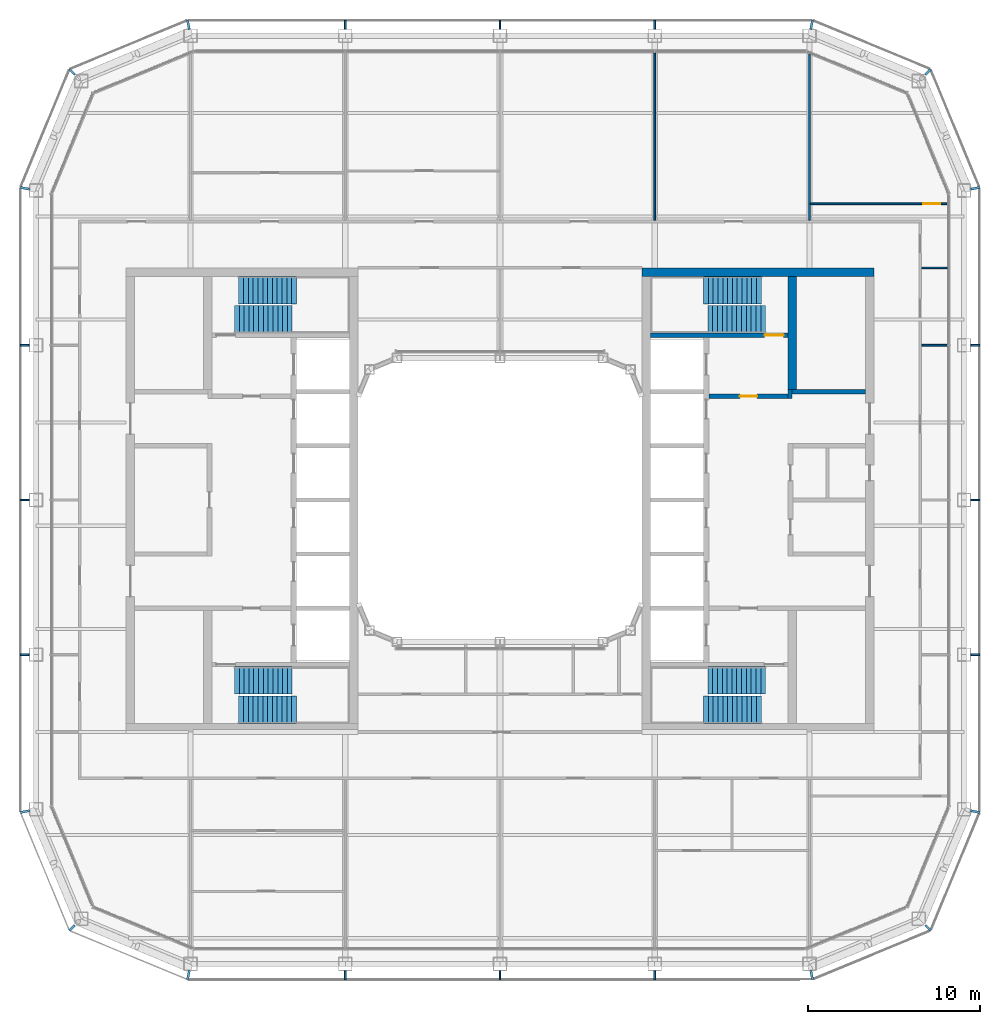
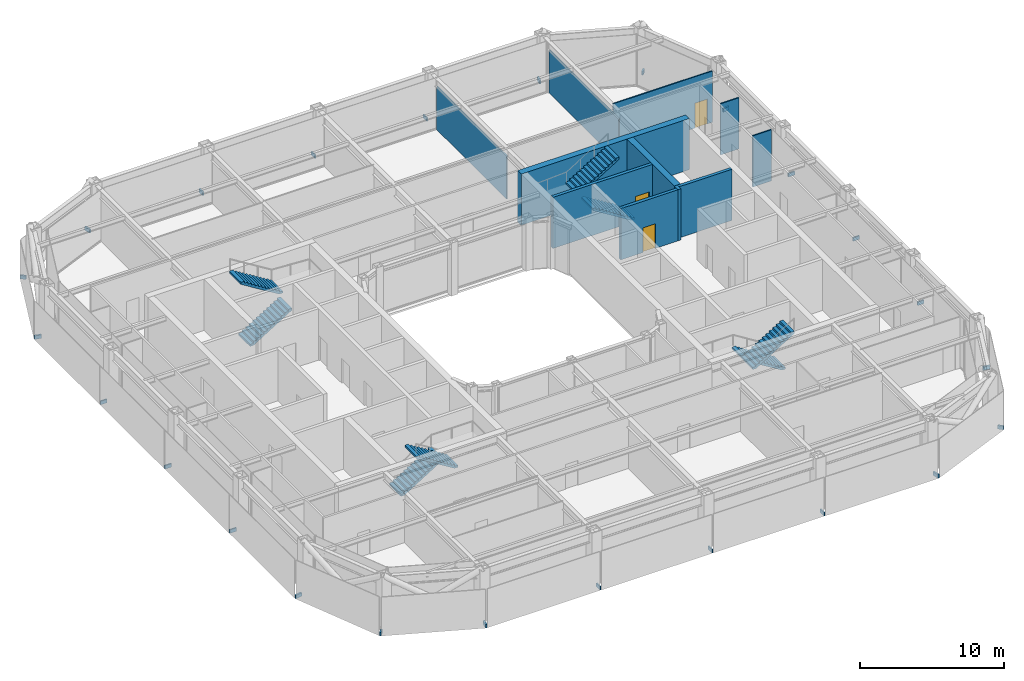
# One storey, part 15 of 19: 24 discrete accessories, 11 walls, 8 stair flights, 3 doors, 3 openings, 4 elements without a shape of their own.
"""IFC4 building model written with IfcOpenShell, lengths in metres."""

import ifcopenshell
import ifcopenshell.guid

model = None  # the IFC model being written
_history = None  # IfcOwnerHistory: only IFC2X3 demands one
_inside = {}  # id of a spatial element -> (the spatial element, [elements in it])
_under = {}  # id of a project, library or spatial element -> (it, [spatial elements below it])
_declared = {}  # id of a project -> (the project, [libraries it declares])
_typed = {}  # id of a type object -> (the type object, [elements of that type])
_made_of = {}  # id of a material, layer set ... -> (it, [elements and type objects made of it])


def new_model(schema):
    """Start an empty IFC model of exactly this schema.

    Asked for "IFC4X3", IfcOpenShell would pick the latest addendum, in which some entities
    have other attributes; the version numbers below select the first issue.
    IFC2X3 requires an IfcOwnerHistory on every rooted entity: one is made here for all.
    """
    global model, _history
    if schema == "IFC4X3":
        model = ifcopenshell.file(schema_version=(4, 3, 0, 0))
    else:
        model = ifcopenshell.file(schema=schema)
    _inside.clear()
    _under.clear()
    _declared.clear()
    _typed.clear()
    _made_of.clear()
    _history = None
    if model.schema == "IFC2X3":
        org = make("IfcOrganization", Name="unknown")
        user = make(
            "IfcPersonAndOrganization",
            ThePerson=make("IfcPerson", FamilyName="unknown"),
            TheOrganization=org,
        )
        app = make(
            "IfcApplication",
            ApplicationDeveloper=org,
            Version="unknown",
            ApplicationFullName="unknown",
            ApplicationIdentifier="unknown",
        )
        _history = make(
            "IfcOwnerHistory",
            OwningUser=user,
            OwningApplication=app,
            ChangeAction="ADDED",
            CreationDate=0,
        )
    return model


def make(cls, **values):
    """One entity of the class cls with the attributes given. An attribute that is None is left unset."""
    return model.create_entity(
        cls, **{name: value for name, value in values.items() if value is not None}
    )


def rooted(cls, **values):
    """An entity with a GlobalId (a new one), such as an element, a storey or a relation."""
    return make(cls, GlobalId=ifcopenshell.guid.new(), OwnerHistory=_history, **values)


def si_unit(unit_type, name, prefix=None):
    """IfcSIUnit, for example si_unit("LENGTHUNIT", "METRE", prefix="MILLI")."""
    return make("IfcSIUnit", UnitType=unit_type, Prefix=prefix, Name=name)


def assignment(units):
    """IfcUnitAssignment: the units of a project."""
    return None if units is None else make("IfcUnitAssignment", Units=units)


def point(xyz):
    """IfcCartesianPoint."""
    return None if xyz is None else make("IfcCartesianPoint", Coordinates=xyz)


def direction(xyz):
    """IfcDirection."""
    return None if xyz is None else make("IfcDirection", DirectionRatios=xyz)


def frame(location, z_axis=None, x_axis=None):
    """IfcAxis2Placement3D, a coordinate frame: its origin and axes. An axis left out is left unset."""
    return make(
        "IfcAxis2Placement3D",
        Location=point(location),
        Axis=direction(z_axis),
        RefDirection=direction(x_axis),
    )


def frame_2d(location, x_axis=None):
    """IfcAxis2Placement2D, a coordinate frame in the plane: its origin and x axis."""
    return make(
        "IfcAxis2Placement2D", Location=point(location), RefDirection=direction(x_axis)
    )


def origin():
    """The frame at (0, 0, 0) with its axes left unset."""
    return frame((0.0, 0.0, 0.0))


def origin_2d():
    """The frame at (0, 0) in the plane with its x axis left unset."""
    return frame_2d((0.0, 0.0))


def place(relative_to, where):
    """IfcLocalPlacement: puts the frame where relative to a parent placement (None: the world)."""
    return make(
        "IfcLocalPlacement", PlacementRelTo=relative_to, RelativePlacement=where
    )


def context(
    kind, dimensions, precision=None, world=None, true_north=None, identifier=None
):
    """IfcGeometricRepresentationContext, for example the 3D "Model" context."""
    return make(
        "IfcGeometricRepresentationContext",
        ContextIdentifier=identifier,
        ContextType=kind,
        CoordinateSpaceDimension=dimensions,
        Precision=precision,
        WorldCoordinateSystem=world,
        TrueNorth=true_north,
    )


def subcontext(parent, identifier, kind, view, scale=None):
    """IfcGeometricRepresentationSubContext, for example "Body" below "Model"."""
    return make(
        "IfcGeometricRepresentationSubContext",
        ContextIdentifier=identifier,
        ContextType=kind,
        ParentContext=parent,
        TargetScale=scale,
        TargetView=view,
    )


def project(units=None, contexts=None):
    """IfcProject with its units and contexts."""
    return rooted(
        "IfcProject",
        Name="project",
        RepresentationContexts=contexts,
        UnitsInContext=assignment(units),
    )


def spatial(cls, under=None, at=None, **own):
    """A site, building, storey or space (cls), placed at a placement, below another one or the project."""
    s = rooted(cls, ObjectPlacement=at, **own)
    if under is not None:
        _under.setdefault(under.id(), (under, []))[1].append(s)
    return s


def polyline(points):
    """IfcPolyline through the points."""
    return make("IfcPolyline", Points=[point(p) for p in points])


def profile(cls, at=None, kind="AREA", **sizes):
    """A parametric profile (cls). Its sizes go by their IFC names, for example OverallWidth=200.0."""
    return make(cls, ProfileType=kind, Position=at, **sizes)


def rectangle(**sizes):
    """IfcRectangleProfileDef."""
    return profile("IfcRectangleProfileDef", **sizes)


def outline(outer, holes=None, kind="AREA"):
    """IfcArbitraryClosedProfileDef: a profile drawn as a closed curve; with holes, ...WithVoids."""
    if holes is None:
        return make("IfcArbitraryClosedProfileDef", ProfileType=kind, OuterCurve=outer)
    return make(
        "IfcArbitraryProfileDefWithVoids",
        ProfileType=kind,
        OuterCurve=outer,
        InnerCurves=holes,
    )


def extrude(swept, where, along, depth):
    """IfcExtrudedAreaSolid: the profile swept, set in the frame where, extruded along a direction by depth."""
    return make(
        "IfcExtrudedAreaSolid",
        SweptArea=swept,
        Position=where,
        ExtrudedDirection=direction(along),
        Depth=depth,
    )


def shape(context_of_items, identifier, shape_type, items):
    """IfcShapeRepresentation: the items that make up one representation, for example the "Body"."""
    return make(
        "IfcShapeRepresentation",
        ContextOfItems=context_of_items,
        RepresentationIdentifier=identifier,
        RepresentationType=shape_type,
        Items=items,
    )


def material(Name=None, Category=None):
    """IfcMaterial."""
    return make("IfcMaterial", Name=Name, Category=Category)


def layer(
    of_material, thickness, ventilated=None, Name=None, Category=None, Priority=None
):
    """IfcMaterialLayer: one layer of a wall or slab, of a material (None: an air gap)."""
    return make(
        "IfcMaterialLayer",
        Material=of_material,
        LayerThickness=thickness,
        IsVentilated=ventilated,
        Name=Name,
        Category=Category,
        Priority=Priority,
    )


def layer_set(layers, Name=None):
    """IfcMaterialLayerSet."""
    return make("IfcMaterialLayerSet", MaterialLayers=layers, LayerSetName=Name)


def made_of(thing, what):
    """Note that an element or type object is made of a material, layer set ...; save() writes the relation."""
    if what is not None:
        _made_of.setdefault(what.id(), (what, []))[1].append(thing)
    return thing


def type_object(cls, material=None, **own):
    """A type object (cls), such as IfcWallType, which elements share."""
    return made_of(rooted(cls, **own), material)


def element(
    cls,
    number,
    at=None,
    inside=None,
    cuts=None,
    type_object=None,
    material=None,
    context=None,
    identifier="Body",
    shape_type=None,
    held_by="IfcProductDefinitionShape",
    body=None,
    shapes=None,
    **own,
):
    """One element of the class cls, such as IfcWall. Its Tag is "e" and its number.

    at: its placement. inside: the storey or other place that contains it. cuts: it is an
    opening in that element (IfcRelVoidsElement). A single representation is given by context,
    identifier, shape_type and body (its items); several are given by shapes. held_by: the class
    of the entity that holds the representations. save() writes the other relations.
    """
    e = rooted(cls, Tag="e%d" % number, ObjectPlacement=at, **own)
    if body is not None:
        shapes = [shape(context, identifier, shape_type, body)]
    if shapes is not None:
        e.Representation = make(held_by, Representations=shapes)
    if inside is not None:
        _inside.setdefault(inside.id(), (inside, []))[1].append(e)
    if cuts is not None:
        rooted(
            "IfcRelVoidsElement", RelatingBuildingElement=cuts, RelatedOpeningElement=e
        )
    if type_object is not None:
        _typed.setdefault(type_object.id(), (type_object, []))[1].append(e)
    return made_of(e, material)


def fill(opening, filler):
    """IfcRelFillsElement: the door or window that sits in an opening."""
    return rooted(
        "IfcRelFillsElement",
        RelatingOpeningElement=opening,
        RelatedBuildingElement=filler,
    )


def aggregate(whole, parts):
    """IfcRelAggregates: a whole, such as a stair, and the parts it consists of."""
    return rooted("IfcRelAggregates", RelatingObject=whole, RelatedObjects=parts)


def save(model, path):
    """Write the relations noted so far, then the file.

    IfcRelAggregates (storeys below a building ...), IfcRelContainedInSpatialStructure (elements
    in a storey), IfcRelDefinesByType, IfcRelAssociatesMaterial and IfcRelDeclares: one each for
    every whole, place, type object, material and project.
    """
    for whole, parts in _under.values():
        aggregate(whole, parts)
    for where, things in _inside.values():
        rooted(
            "IfcRelContainedInSpatialStructure",
            RelatedElements=things,
            RelatingStructure=where,
        )
    for kind, things in _typed.values():
        rooted("IfcRelDefinesByType", RelatedObjects=things, RelatingType=kind)
    for what, things in _made_of.values():
        rooted("IfcRelAssociatesMaterial", RelatedObjects=things, RelatingMaterial=what)
    for by, libraries in _declared.values():
        rooted("IfcRelDeclares", RelatingContext=by, RelatedDefinitions=libraries)
    model.write(path)


model = new_model("IFC4")

# Units and contexts
model_context = context("Model", 3, precision=1e-05, world=origin(), true_north=direction((0.0, 1.0)))
body_context = subcontext(model_context, "Body", "Model", "MODEL_VIEW")
ifc_project = project(units=[si_unit("LENGTHUNIT", "METRE"), si_unit("AREAUNIT", "SQUARE_METRE"), si_unit("VOLUMEUNIT", "CUBIC_METRE"), si_unit("PLANEANGLEUNIT", "RADIAN"), si_unit("MASSUNIT", "GRAM", prefix="KILO")], contexts=[model_context])

# Site, building, storey
site_placement = place(None, origin())
site = spatial("IfcSite", under=ifc_project, at=site_placement, CompositionType="ELEMENT")
building_placement = place(site_placement, origin())
building = spatial("IfcBuilding", under=site, at=building_placement, Name="Siwar Civic Tower", CompositionType="ELEMENT")
storey_placement = place(building_placement, frame((0.0, 0.0, 264.699951171875)))
storey = spatial("IfcBuildingStorey", under=building, at=storey_placement, Name="L57", CompositionType="ELEMENT", Elevation=264.699951171875)

# Wall, opening, door
ifc_material_1 = material(Name="Concrete C60/75", Category="concrete")
ifc_layer_1 = layer(ifc_material_1, 0.25)
ifc_layer_set_1 = layer_set([ifc_layer_1], Name="Concrete C60/75")
wall_type_1 = type_object("IfcWallType", Name="CORE-WALL-RC250", PredefinedType="SHEAR", material=ifc_layer_set_1)
wall_1_placement = place(storey_placement, frame((12.14990234375, 6.02490234375, 0.0), z_axis=(0.0, 0.0, 1.0), x_axis=(1.0, 0.0, 0.0)))
wall_1 = element("IfcWall", 1, at=wall_1_placement, inside=storey, type_object=wall_type_1, Name="Core wall E", PredefinedType="SHEAR", context=body_context, shape_type="SweptSolid", body=[
    extrude(rectangle(XDim=4.60009765625, YDim=0.25, at=frame_2d((2.300048828125, 0.0))), origin(), (0.0, 0.0, 1.0), 4.35009765625),
])
opening_1_placement = place(wall_1_placement, frame((1.800048828125, 0.0, 0.0)))
opening_1 = element("IfcOpeningElement", 2, at=opening_1_placement, cuts=wall_1, Name="Opening L57-CE01", PredefinedType="OPENING", context=body_context, shape_type="SweptSolid", body=[
    extrude(rectangle(XDim=1.0, YDim=2.10009765625, at=frame_2d((0.5, 1.050048828125))), frame((0.0, 0.135009765625, 0.0), z_axis=(0.0, -1.0, 0.0), x_axis=(1.0, 0.0, 0.0)), (0.0, 0.0, 1.0), 0.27001953125),
])
ifc_material_2 = material(Name="Steel door leaf", Category="steel")
door_type_1 = type_object("IfcDoorType", Name="CORE-DOOR-FD30S", OperationType="SINGLE_SWING_LEFT", PredefinedType="DOOR", material=ifc_material_2)
door_1_placement = place(opening_1_placement, origin())
door_1 = element("IfcDoor", 3, at=door_1_placement, inside=storey, type_object=door_type_1, Name="Firefighting lobby door L57-CE01", OperationType="SINGLE_SWING_RIGHT", OverallHeight=2.10009765625, OverallWidth=1.0, PredefinedType="DOOR", context=body_context, shape_type="SweptSolid", body=[
    extrude(rectangle(XDim=1.0, YDim=2.10009765625, at=frame_2d((0.5, 1.050048828125))), frame((0.0, 0.02490234375, 0.0), z_axis=(0.0, -1.0, 0.0), x_axis=(1.0, 0.0, 0.0)), (0.0, 0.0, 1.0), 0.050048828125),
])
fill(opening_1, door_1)

# Walls
wall_2_placement = place(storey_placement, frame((16.875, 5.89990234375, 0.0), z_axis=(0.0, 0.0, 1.0), x_axis=(0.0, 1.0, 0.0)))
element("IfcWall", 4, at=wall_2_placement, inside=storey, type_object=wall_type_1, Name="Core wall E", PredefinedType="SHEAR", context=body_context, shape_type="SweptSolid", body=[
    extrude(rectangle(XDim=0.525146484375, YDim=0.25, at=frame_2d((0.2626953125, 0.0))), origin(), (0.0, 0.0, 1.0), 4.35009765625),
])
wall_3_placement = place(storey_placement, frame((17.0, 6.300048828125, 0.0), z_axis=(0.0, 0.0, 1.0), x_axis=(1.0, 0.0, 0.0)))
element("IfcWall", 5, at=wall_3_placement, inside=storey, type_object=wall_type_1, Name="Core wall E", PredefinedType="SHEAR", context=body_context, shape_type="SweptSolid", body=[
    extrude(rectangle(XDim=4.25, YDim=0.25, at=frame_2d((2.125, 0.0))), origin(), (0.0, 0.0, 1.0), 4.35009765625),
])

# Wall, opening, door
wall_4_placement = place(storey_placement, frame((8.75, 9.574951171875, 0.0), z_axis=(0.0, 0.0, 1.0), x_axis=(1.0, 0.0, 0.0)))
wall_4 = element("IfcWall", 6, at=wall_4_placement, inside=storey, type_object=wall_type_1, Name="Core wall E", PredefinedType="SHEAR", context=body_context, shape_type="SweptSolid", body=[
    extrude(rectangle(XDim=8.0, YDim=0.25, at=frame_2d((4.0, 0.0))), origin(), (0.0, 0.0, 1.0), 4.35009765625),
])
opening_2_placement = place(wall_4_placement, frame((6.64990234375, 0.0, 0.0)))
opening_2 = element("IfcOpeningElement", 7, at=opening_2_placement, cuts=wall_4, Name="Opening L57-CE03", PredefinedType="OPENING", context=body_context, shape_type="SweptSolid", body=[
    extrude(rectangle(XDim=1.10009765625, YDim=2.10009765625, at=frame_2d((0.550048828125, 1.050048828125))), frame((0.0, 0.135009765625, 0.0), z_axis=(0.0, -1.0, 0.0), x_axis=(1.0, 0.0, 0.0)), (0.0, 0.0, 1.0), 0.27001953125),
])
ifc_material_3 = material(Name="Steel door leaf", Category="steel")
door_type_2 = type_object("IfcDoorType", Name="CORE-DOOR-FD60S", OperationType="SINGLE_SWING_LEFT", PredefinedType="DOOR", material=ifc_material_3)
door_2_placement = place(opening_2_placement, origin())
door_2 = element("IfcDoor", 8, at=door_2_placement, inside=storey, type_object=door_type_2, Name="Stair door L57-CE03", OperationType="SINGLE_SWING_LEFT", OverallHeight=2.10009765625, OverallWidth=1.10009765625, PredefinedType="DOOR", context=body_context, shape_type="SweptSolid", body=[
    extrude(rectangle(XDim=1.10009765625, YDim=2.10009765625, at=frame_2d((0.550048828125, 1.050048828125))), frame((0.0, 0.02490234375, 0.0), z_axis=(0.0, -1.0, 0.0), x_axis=(1.0, 0.0, 0.0)), (0.0, 0.0, 1.0), 0.050048828125),
])
fill(opening_2, door_2)

# Walls
ifc_material_4 = material(Name="Concrete C60/75", Category="concrete")
ifc_layer_2 = layer(ifc_material_4, 0.5)
ifc_layer_set_2 = layer_set([ifc_layer_2], Name="Concrete C60/75")
wall_type_2 = type_object("IfcWallType", Name="CORE-WALL-RC500", PredefinedType="SHEAR", material=ifc_layer_set_2)
wall_5_placement = place(storey_placement, frame((17.0, 6.425048828125, 0.0), z_axis=(0.0, 0.0, 1.0), x_axis=(0.0, 1.0, 0.0)))
element("IfcWall", 9, at=wall_5_placement, inside=storey, type_object=wall_type_2, Name="Core wall E", PredefinedType="SHEAR", context=body_context, shape_type="SweptSolid", body=[
    extrude(rectangle(XDim=6.574951171875, YDim=0.5, at=frame_2d((3.28759765625, 0.0))), origin(), (0.0, 0.0, 1.0), 4.35009765625),
])
wall_6_placement = place(storey_placement, frame((8.25, 13.25, 0.0), z_axis=(0.0, 0.0, 1.0), x_axis=(1.0, 0.0, 0.0)))
element("IfcWall", 10, at=wall_6_placement, inside=storey, type_object=wall_type_2, Name="Core wall E", PredefinedType="SHEAR", context=body_context, shape_type="SweptSolid", body=[
    extrude(rectangle(XDim=13.5, YDim=0.5, at=frame_2d((6.75, 0.0))), origin(), (0.0, 0.0, 1.0), 4.35009765625),
])
ifc_material_5 = material(Name="Gypsum board on steel studs", Category="steel")
ifc_layer_3 = layer(ifc_material_5, 0.10009765625)
ifc_layer_set_3 = layer_set([ifc_layer_3], Name="Gypsum board on steel studs")
wall_type_3 = type_object("IfcWallType", Name="PARTITION 100 GYPSUM", PredefinedType="PARTITIONING", material=ifc_layer_set_3)
for number, where, z_axis, x_axis, name in (
    (11, (24.52490234375, 9.0, 0.0), (0.0, 0.0, 1.0), (1.0, 0.0, 0.0), "L57/wall/P16"),
    (12, (24.52490234375, 13.5, 0.0), (0.0, 0.0, 1.0), (1.0, 0.0, 0.0), "L57/wall/P18"),
):
    element("IfcWall", number, at=place(storey_placement, frame(where, z_axis=z_axis, x_axis=x_axis)), inside=storey, type_object=wall_type_3, Name=name, PredefinedType="PARTITIONING", context=body_context, shape_type="SweptSolid", body=[
        extrude(rectangle(XDim=1.485107421875, YDim=0.10009765625, at=frame_2d((0.74267578125, 0.0))), origin(), (0.0, 0.0, 1.0), 4.35009765625),
    ])

# Wall, opening, door
wall_7_placement = place(storey_placement, frame((18.050048828125, 17.22802734375, 0.0), z_axis=(0.0, 0.0, 1.0), x_axis=(1.0, 0.0, 0.0)))
wall_7 = element("IfcWall", 13, at=wall_7_placement, inside=storey, type_object=wall_type_3, Name="L57/wall/P21", PredefinedType="PARTITIONING", context=body_context, shape_type="SweptSolid", body=[
    extrude(rectangle(XDim=7.9599609375, YDim=0.10009765625, at=frame_2d((3.97998046875, 0.0))), origin(), (0.0, 0.0, 1.0), 4.35009765625),
])
opening_3_placement = place(wall_7_placement, frame((6.56005859375, 0.0, 0.0)))
opening_3 = element("IfcOpeningElement", 14, at=opening_3_placement, cuts=wall_7, Name="Opening D2", PredefinedType="OPENING", context=body_context, shape_type="SweptSolid", body=[
    extrude(rectangle(XDim=1.0, YDim=2.10009765625, at=frame_2d((0.5, 1.050048828125))), frame((0.0, 0.06005859375, 0.0), z_axis=(0.0, -1.0, 0.0), x_axis=(1.0, 0.0, 0.0)), (0.0, 0.0, 1.0), 0.1201171875),
])
ifc_material_6 = material(Name="Timber, painted", Category="wood")
door_type_3 = type_object("IfcDoorType", Name="DOOR 1000 X 2100", OperationType="SINGLE_SWING_LEFT", PredefinedType="DOOR", material=ifc_material_6)
door_3_placement = place(opening_3_placement, origin())
door_3 = element("IfcDoor", 15, at=door_3_placement, inside=storey, type_object=door_type_3, Name="L57-D17", OperationType="SINGLE_SWING_LEFT", OverallHeight=2.10009765625, OverallWidth=1.0, PredefinedType="DOOR", context=body_context, shape_type="SweptSolid", body=[
    extrude(rectangle(XDim=1.0, YDim=2.10009765625, at=frame_2d((0.5, 1.050048828125))), frame((0.0, 0.02490234375, 0.0), z_axis=(0.0, -1.0, 0.0), x_axis=(1.0, 0.0, 0.0)), (0.0, 0.0, 1.0), 0.050048828125),
])
fill(opening_3, door_3)

# Walls
wall_8_placement = place(storey_placement, frame((9.0, 16.27490234375, 0.0), z_axis=(0.0, 0.0, 1.0), x_axis=(0.0, 1.0, 0.0)))
element("IfcWall", 16, at=wall_8_placement, inside=storey, type_object=wall_type_3, Name="L57/wall/P36", PredefinedType="PARTITIONING", context=body_context, shape_type="SweptSolid", body=[
    extrude(rectangle(XDim=9.735107421875, YDim=0.10009765625, at=frame_2d((4.86767578125, 0.0))), origin(), (0.0, 0.0, 1.0), 3.650146484375),
])
wall_9_placement = place(storey_placement, frame((18.0, 16.27490234375, 0.0), z_axis=(0.0, 0.0, 1.0), x_axis=(0.0, 1.0, 0.0)))
element("IfcWall", 17, at=wall_9_placement, inside=storey, type_object=wall_type_3, Name="L57/wall/P39", PredefinedType="PARTITIONING", context=body_context, shape_type="SweptSolid", body=[
    extrude(rectangle(XDim=9.653076171875, YDim=0.10009765625, at=frame_2d((4.82666015625, 0.0))), origin(), (0.0, 0.0, 1.0), 3.650146484375),
])

# Stair, stair flights
ifc_material_7 = material(Name="Concrete C40/50", Category="concrete")
stair_type = type_object("IfcStairType", Name="CORE-STAIR", PredefinedType="TWO_STRAIGHT_RUN_STAIR", material=ifc_material_7)
stair_1_placement = place(storey_placement, origin())
stair_1 = element("IfcStair", 18, at=stair_1_placement, inside=storey, type_object=stair_type, Name="Exit stair ST1", PredefinedType="TWO_STRAIGHT_RUN_STAIR")
ifc_material_8 = material(Name="Concrete C40/50", Category="concrete")
stair_flight_type = type_object("IfcStairFlightType", Name="CORE-STAIR-FLIGHT", PredefinedType="STRAIGHT", material=ifc_material_8)
stair_flight_1_placement = place(storey_placement, frame((-15.449951171875, 10.5, 0.0), z_axis=(0.0, 0.0, 1.0), x_axis=(1.0, 0.0, 0.0)))
stair_flight_1 = element("IfcStairFlight", 19, at=stair_flight_1_placement, type_object=stair_flight_type, Name="ST1 flight 1", NumberOfRisers=13, NumberOfTreads=12, PredefinedType="STRAIGHT", RiserHeight=0.173076923, TreadLength=0.28, context=body_context, shape_type="SweptSolid", body=[
    extrude(outline(polyline([(0.0, 0.0), (0.0, 0.173095703125), (0.280029296875, 0.173095703125), (0.280029296875, 0.34619140625), (0.56005859375, 0.34619140625), (0.56005859375, 0.519287109375), (0.840087890625, 0.519287109375), (0.840087890625, 0.6923828125), (1.1201171875, 0.6923828125), (1.1201171875, 0.865478515625), (1.39990234375, 0.865478515625), (1.39990234375, 1.03857421875), (1.679931640625, 1.03857421875), (1.679931640625, 1.21142578125), (1.9599609375, 1.21142578125), (1.9599609375, 1.384521484375), (2.239990234375, 1.384521484375), (2.239990234375, 1.5576171875), (2.52001953125, 1.5576171875), (2.52001953125, 1.730712890625), (2.800048828125, 1.730712890625), (2.800048828125, 1.90380859375), (3.080078125, 1.90380859375), (3.080078125, 2.076904296875), (3.360107421875, 2.076904296875), (3.360107421875, 2.25), (3.360107421875, 1.900634765625), (0.28515625, 0.0), (0.0, 0.0)])), frame((0.0, 0.800048828125, 0.0), z_axis=(0.0, -1.0, 0.0), x_axis=(1.0, 0.0, 0.0)), (0.0, 0.0, 1.0), 1.60009765625),
])
stair_flight_2_placement = place(storey_placement, frame((-11.840087890625, 12.199951171875, 2.25), z_axis=(0.0, 0.0, 1.0), x_axis=(-1.0, 0.0, 0.0)))
stair_flight_2 = element("IfcStairFlight", 20, at=stair_flight_2_placement, type_object=stair_flight_type, Name="ST1 flight 2", NumberOfRisers=13, NumberOfTreads=12, PredefinedType="STRAIGHT", RiserHeight=0.173076923, TreadLength=0.28, context=body_context, shape_type="SweptSolid", body=[
    extrude(outline(polyline([(0.0, 0.0), (0.0, 0.173095703125), (0.280029296875, 0.173095703125), (0.280029296875, 0.34619140625), (0.56005859375, 0.34619140625), (0.56005859375, 0.519287109375), (0.840087890625, 0.519287109375), (0.840087890625, 0.6923828125), (1.1201171875, 0.6923828125), (1.1201171875, 0.865478515625), (1.39990234375, 0.865478515625), (1.39990234375, 1.03857421875), (1.679931640625, 1.03857421875), (1.679931640625, 1.21142578125), (1.9599609375, 1.21142578125), (1.9599609375, 1.384521484375), (2.239990234375, 1.384521484375), (2.239990234375, 1.5576171875), (2.52001953125, 1.5576171875), (2.52001953125, 1.730712890625), (2.800048828125, 1.730712890625), (2.800048828125, 1.90380859375), (3.080078125, 1.90380859375), (3.080078125, 2.076904296875), (3.360107421875, 2.076904296875), (3.360107421875, 2.25), (3.360107421875, 1.900634765625), (0.28515625, 0.0), (0.0, 0.0)])), frame((0.0, 0.800048828125, 0.0), z_axis=(0.0, -1.0, 0.0), x_axis=(1.0, 0.0, 0.0)), (0.0, 0.0, 1.0), 1.60009765625),
])
aggregate(stair_1, [stair_flight_1, stair_flight_2])

stair_2_placement = place(storey_placement, origin())
stair_2 = element("IfcStair", 21, at=stair_2_placement, inside=storey, type_object=stair_type, Name="Exit stair ST2", PredefinedType="TWO_STRAIGHT_RUN_STAIR")
stair_flight_3_placement = place(storey_placement, frame((-15.449951171875, -10.5, 0.0), z_axis=(0.0, 0.0, 1.0), x_axis=(1.0, 0.0, 0.0)))
stair_flight_3 = element("IfcStairFlight", 22, at=stair_flight_3_placement, type_object=stair_flight_type, Name="ST2 flight 1", NumberOfRisers=13, NumberOfTreads=12, PredefinedType="STRAIGHT", RiserHeight=0.173076923, TreadLength=0.28, context=body_context, shape_type="SweptSolid", body=[
    extrude(outline(polyline([(0.0, 0.0), (0.0, 0.173095703125), (0.280029296875, 0.173095703125), (0.280029296875, 0.34619140625), (0.56005859375, 0.34619140625), (0.56005859375, 0.519287109375), (0.840087890625, 0.519287109375), (0.840087890625, 0.6923828125), (1.1201171875, 0.6923828125), (1.1201171875, 0.865478515625), (1.39990234375, 0.865478515625), (1.39990234375, 1.03857421875), (1.679931640625, 1.03857421875), (1.679931640625, 1.21142578125), (1.9599609375, 1.21142578125), (1.9599609375, 1.384521484375), (2.239990234375, 1.384521484375), (2.239990234375, 1.5576171875), (2.52001953125, 1.5576171875), (2.52001953125, 1.730712890625), (2.800048828125, 1.730712890625), (2.800048828125, 1.90380859375), (3.080078125, 1.90380859375), (3.080078125, 2.076904296875), (3.360107421875, 2.076904296875), (3.360107421875, 2.25), (3.360107421875, 1.900634765625), (0.28515625, 0.0), (0.0, 0.0)])), frame((0.0, 0.800048828125, 0.0), z_axis=(0.0, -1.0, 0.0), x_axis=(1.0, 0.0, 0.0)), (0.0, 0.0, 1.0), 1.60009765625),
])
stair_flight_4_placement = place(storey_placement, frame((-11.840087890625, -12.199951171875, 2.25), z_axis=(0.0, 0.0, 1.0), x_axis=(-1.0, 0.0, 0.0)))
stair_flight_4 = element("IfcStairFlight", 23, at=stair_flight_4_placement, type_object=stair_flight_type, Name="ST2 flight 2", NumberOfRisers=13, NumberOfTreads=12, PredefinedType="STRAIGHT", RiserHeight=0.173076923, TreadLength=0.28, context=body_context, shape_type="SweptSolid", body=[
    extrude(outline(polyline([(0.0, 0.0), (0.0, 0.173095703125), (0.280029296875, 0.173095703125), (0.280029296875, 0.34619140625), (0.56005859375, 0.34619140625), (0.56005859375, 0.519287109375), (0.840087890625, 0.519287109375), (0.840087890625, 0.6923828125), (1.1201171875, 0.6923828125), (1.1201171875, 0.865478515625), (1.39990234375, 0.865478515625), (1.39990234375, 1.03857421875), (1.679931640625, 1.03857421875), (1.679931640625, 1.21142578125), (1.9599609375, 1.21142578125), (1.9599609375, 1.384521484375), (2.239990234375, 1.384521484375), (2.239990234375, 1.5576171875), (2.52001953125, 1.5576171875), (2.52001953125, 1.730712890625), (2.800048828125, 1.730712890625), (2.800048828125, 1.90380859375), (3.080078125, 1.90380859375), (3.080078125, 2.076904296875), (3.360107421875, 2.076904296875), (3.360107421875, 2.25), (3.360107421875, 1.900634765625), (0.28515625, 0.0), (0.0, 0.0)])), frame((0.0, 0.800048828125, 0.0), z_axis=(0.0, -1.0, 0.0), x_axis=(1.0, 0.0, 0.0)), (0.0, 0.0, 1.0), 1.60009765625),
])
aggregate(stair_2, [stair_flight_3, stair_flight_4])

stair_3_placement = place(storey_placement, origin())
stair_3 = element("IfcStair", 24, at=stair_3_placement, inside=storey, type_object=stair_type, Name="Exit stair ST3", PredefinedType="TWO_STRAIGHT_RUN_STAIR")
stair_flight_5_placement = place(storey_placement, frame((15.449951171875, 10.5, 0.0), z_axis=(0.0, 0.0, 1.0), x_axis=(-1.0, 0.0, 0.0)))
stair_flight_5 = element("IfcStairFlight", 25, at=stair_flight_5_placement, type_object=stair_flight_type, Name="ST3 flight 1", NumberOfRisers=13, NumberOfTreads=12, PredefinedType="STRAIGHT", RiserHeight=0.173076923, TreadLength=0.28, context=body_context, shape_type="SweptSolid", body=[
    extrude(outline(polyline([(0.0, 0.0), (0.0, 0.173095703125), (0.280029296875, 0.173095703125), (0.280029296875, 0.34619140625), (0.56005859375, 0.34619140625), (0.56005859375, 0.519287109375), (0.840087890625, 0.519287109375), (0.840087890625, 0.6923828125), (1.1201171875, 0.6923828125), (1.1201171875, 0.865478515625), (1.39990234375, 0.865478515625), (1.39990234375, 1.03857421875), (1.679931640625, 1.03857421875), (1.679931640625, 1.21142578125), (1.9599609375, 1.21142578125), (1.9599609375, 1.384521484375), (2.239990234375, 1.384521484375), (2.239990234375, 1.5576171875), (2.52001953125, 1.5576171875), (2.52001953125, 1.730712890625), (2.800048828125, 1.730712890625), (2.800048828125, 1.90380859375), (3.080078125, 1.90380859375), (3.080078125, 2.076904296875), (3.360107421875, 2.076904296875), (3.360107421875, 2.25), (3.360107421875, 1.900634765625), (0.28515625, 0.0), (0.0, 0.0)])), frame((0.0, 0.800048828125, 0.0), z_axis=(0.0, -1.0, 0.0), x_axis=(1.0, 0.0, 0.0)), (0.0, 0.0, 1.0), 1.60009765625),
])
stair_flight_6_placement = place(storey_placement, frame((11.840087890625, 12.199951171875, 2.25), z_axis=(0.0, 0.0, 1.0), x_axis=(1.0, 0.0, 0.0)))
stair_flight_6 = element("IfcStairFlight", 26, at=stair_flight_6_placement, type_object=stair_flight_type, Name="ST3 flight 2", NumberOfRisers=13, NumberOfTreads=12, PredefinedType="STRAIGHT", RiserHeight=0.173076923, TreadLength=0.28, context=body_context, shape_type="SweptSolid", body=[
    extrude(outline(polyline([(0.0, 0.0), (0.0, 0.173095703125), (0.280029296875, 0.173095703125), (0.280029296875, 0.34619140625), (0.56005859375, 0.34619140625), (0.56005859375, 0.519287109375), (0.840087890625, 0.519287109375), (0.840087890625, 0.6923828125), (1.1201171875, 0.6923828125), (1.1201171875, 0.865478515625), (1.39990234375, 0.865478515625), (1.39990234375, 1.03857421875), (1.679931640625, 1.03857421875), (1.679931640625, 1.21142578125), (1.9599609375, 1.21142578125), (1.9599609375, 1.384521484375), (2.239990234375, 1.384521484375), (2.239990234375, 1.5576171875), (2.52001953125, 1.5576171875), (2.52001953125, 1.730712890625), (2.800048828125, 1.730712890625), (2.800048828125, 1.90380859375), (3.080078125, 1.90380859375), (3.080078125, 2.076904296875), (3.360107421875, 2.076904296875), (3.360107421875, 2.25), (3.360107421875, 1.900634765625), (0.28515625, 0.0), (0.0, 0.0)])), frame((0.0, 0.800048828125, 0.0), z_axis=(0.0, -1.0, 0.0), x_axis=(1.0, 0.0, 0.0)), (0.0, 0.0, 1.0), 1.60009765625),
])
aggregate(stair_3, [stair_flight_5, stair_flight_6])

stair_4_placement = place(storey_placement, origin())
stair_4 = element("IfcStair", 27, at=stair_4_placement, inside=storey, type_object=stair_type, Name="Exit stair ST4", PredefinedType="TWO_STRAIGHT_RUN_STAIR")
stair_flight_7_placement = place(storey_placement, frame((15.449951171875, -10.5, 0.0), z_axis=(0.0, 0.0, 1.0), x_axis=(-1.0, 0.0, 0.0)))
stair_flight_7 = element("IfcStairFlight", 28, at=stair_flight_7_placement, type_object=stair_flight_type, Name="ST4 flight 1", NumberOfRisers=13, NumberOfTreads=12, PredefinedType="STRAIGHT", RiserHeight=0.173076923, TreadLength=0.28, context=body_context, shape_type="SweptSolid", body=[
    extrude(outline(polyline([(0.0, 0.0), (0.0, 0.173095703125), (0.280029296875, 0.173095703125), (0.280029296875, 0.34619140625), (0.56005859375, 0.34619140625), (0.56005859375, 0.519287109375), (0.840087890625, 0.519287109375), (0.840087890625, 0.6923828125), (1.1201171875, 0.6923828125), (1.1201171875, 0.865478515625), (1.39990234375, 0.865478515625), (1.39990234375, 1.03857421875), (1.679931640625, 1.03857421875), (1.679931640625, 1.21142578125), (1.9599609375, 1.21142578125), (1.9599609375, 1.384521484375), (2.239990234375, 1.384521484375), (2.239990234375, 1.5576171875), (2.52001953125, 1.5576171875), (2.52001953125, 1.730712890625), (2.800048828125, 1.730712890625), (2.800048828125, 1.90380859375), (3.080078125, 1.90380859375), (3.080078125, 2.076904296875), (3.360107421875, 2.076904296875), (3.360107421875, 2.25), (3.360107421875, 1.900634765625), (0.28515625, 0.0), (0.0, 0.0)])), frame((0.0, 0.800048828125, 0.0), z_axis=(0.0, -1.0, 0.0), x_axis=(1.0, 0.0, 0.0)), (0.0, 0.0, 1.0), 1.60009765625),
])
stair_flight_8_placement = place(storey_placement, frame((11.840087890625, -12.199951171875, 2.25), z_axis=(0.0, 0.0, 1.0), x_axis=(1.0, 0.0, 0.0)))
stair_flight_8 = element("IfcStairFlight", 29, at=stair_flight_8_placement, type_object=stair_flight_type, Name="ST4 flight 2", NumberOfRisers=13, NumberOfTreads=12, PredefinedType="STRAIGHT", RiserHeight=0.173076923, TreadLength=0.28, context=body_context, shape_type="SweptSolid", body=[
    extrude(outline(polyline([(0.0, 0.0), (0.0, 0.173095703125), (0.280029296875, 0.173095703125), (0.280029296875, 0.34619140625), (0.56005859375, 0.34619140625), (0.56005859375, 0.519287109375), (0.840087890625, 0.519287109375), (0.840087890625, 0.6923828125), (1.1201171875, 0.6923828125), (1.1201171875, 0.865478515625), (1.39990234375, 0.865478515625), (1.39990234375, 1.03857421875), (1.679931640625, 1.03857421875), (1.679931640625, 1.21142578125), (1.9599609375, 1.21142578125), (1.9599609375, 1.384521484375), (2.239990234375, 1.384521484375), (2.239990234375, 1.5576171875), (2.52001953125, 1.5576171875), (2.52001953125, 1.730712890625), (2.800048828125, 1.730712890625), (2.800048828125, 1.90380859375), (3.080078125, 1.90380859375), (3.080078125, 2.076904296875), (3.360107421875, 2.076904296875), (3.360107421875, 2.25), (3.360107421875, 1.900634765625), (0.28515625, 0.0), (0.0, 0.0)])), frame((0.0, 0.800048828125, 0.0), z_axis=(0.0, -1.0, 0.0), x_axis=(1.0, 0.0, 0.0)), (0.0, 0.0, 1.0), 1.60009765625),
])
aggregate(stair_4, [stair_flight_7, stair_flight_8])

# Discrete accessories
ifc_material_9 = material(Name="Stainless steel 316", Category="steel")
discrete_accessory_type = type_object("IfcDiscreteAccessoryType", Name="ENV-BRACKET", PredefinedType="BRACKET", material=ifc_material_9)
for number, where, z_axis, x_axis, name in (
    (30, (27.639892578125, -9.0, -0.14990234375), (0.0, 0.0, 1.0), (1.0, 0.0, 0.0), "Bracket outer skin joint E-01"),
    (31, (27.639892578125, 0.0, -0.14990234375), (0.0, 0.0, 1.0), (1.0, 0.0, 0.0), "Bracket outer skin joint E-02"),
    (32, (27.639892578125, 9.0, -0.14990234375), (0.0, 0.0, 1.0), (1.0, 0.0, 0.0), "Bracket outer skin joint E-03"),
    (33, (9.0, 27.639892578125, -0.14990234375), (0.0, 0.0, 1.0), (0.0, 1.0, 0.0), "Bracket outer skin joint N-01"),
    (34, (0.0, 27.639892578125, -0.14990234375), (0.0, 0.0, 1.0), (0.0, 1.0, 0.0), "Bracket outer skin joint N-02"),
    (35, (-9.0, 27.639892578125, -0.14990234375), (0.0, 0.0, 1.0), (0.0, 1.0, 0.0), "Bracket outer skin joint N-03"),
    (36, (-9.0, -27.639892578125, -0.14990234375), (0.0, 0.0, 1.0), (0.0, -1.0, 0.0), "Bracket outer skin joint S-01"),
    (37, (0.0, -27.639892578125, -0.14990234375), (0.0, 0.0, 1.0), (0.0, -1.0, 0.0), "Bracket outer skin joint S-02"),
    (38, (9.0, -27.639892578125, -0.14990234375), (0.0, 0.0, 1.0), (0.0, -1.0, 0.0), "Bracket outer skin joint S-03"),
):
    element("IfcDiscreteAccessory", number, at=place(storey_placement, frame(where, z_axis=z_axis, x_axis=x_axis)), inside=storey, type_object=discrete_accessory_type, Name=name, PredefinedType="BRACKET", context=body_context, shape_type="SweptSolid", body=[
        extrude(rectangle(XDim=0.52001953125, YDim=0.10009765625, at=origin_2d()), origin(), (0.0, 0.0, 1.0), 0.300048828125),
    ])
for number, where, z_axis, x_axis, name in (
    (39, (-18.12744140625, -27.64013671875, -0.14990234375), (0.0, 0.0, 1.0), (-0.195090322016, -0.980785280403, 0.0), "Bracket outer skin joint V00"),
    (40, (18.12744140625, -27.64013671875, -0.14990234375), (0.0, 0.0, 1.0), (0.195090322016, -0.980785280403, 0.0), "Bracket outer skin joint V01"),
):
    element("IfcDiscreteAccessory", number, at=place(storey_placement, frame(where, z_axis=z_axis, x_axis=x_axis)), inside=storey, type_object=discrete_accessory_type, Name=name, PredefinedType="BRACKET", context=body_context, shape_type="SweptSolid", body=[
        extrude(rectangle(XDim=0.52978515625, YDim=0.13720703125, at=origin_2d()), origin(), (0.0, 0.0, 1.0), 0.300048828125),
    ])
discrete_accessory_1_placement = place(storey_placement, frame((24.9013671875, -24.9013671875, -0.14990234375), z_axis=(0.0, 0.0, 1.0), x_axis=(0.707106781187, -0.707106781187, 0.0)))
element("IfcDiscreteAccessory", 41, at=discrete_accessory_1_placement, inside=storey, type_object=discrete_accessory_type, Name="Bracket outer skin joint V02", PredefinedType="BRACKET", context=body_context, shape_type="SweptSolid", body=[
    extrude(rectangle(XDim=0.428466796875, YDim=0.12939453125, at=origin_2d()), origin(), (0.0, 0.0, 1.0), 0.300048828125),
])
for number, where, z_axis, x_axis, name in (
    (42, (27.64013671875, -18.12744140625, -0.14990234375), (0.0, 0.0, 1.0), (0.980785280403, -0.195090322016, 0.0), "Bracket outer skin joint V03"),
    (43, (27.64013671875, 18.12744140625, -0.14990234375), (0.0, 0.0, 1.0), (0.980785280403, 0.195090322016, 0.0), "Bracket outer skin joint V04"),
):
    element("IfcDiscreteAccessory", number, at=place(storey_placement, frame(where, z_axis=z_axis, x_axis=x_axis)), inside=storey, type_object=discrete_accessory_type, Name=name, PredefinedType="BRACKET", context=body_context, shape_type="SweptSolid", body=[
        extrude(rectangle(XDim=0.52978515625, YDim=0.13720703125, at=origin_2d()), origin(), (0.0, 0.0, 1.0), 0.300048828125),
    ])
discrete_accessory_2_placement = place(storey_placement, frame((24.9013671875, 24.9013671875, -0.14990234375), z_axis=(0.0, 0.0, 1.0), x_axis=(0.707106781187, 0.707106781187, 0.0)))
element("IfcDiscreteAccessory", 44, at=discrete_accessory_2_placement, inside=storey, type_object=discrete_accessory_type, Name="Bracket outer skin joint V05", PredefinedType="BRACKET", context=body_context, shape_type="SweptSolid", body=[
    extrude(rectangle(XDim=0.428466796875, YDim=0.12939453125, at=origin_2d()), origin(), (0.0, 0.0, 1.0), 0.300048828125),
])
for number, where, z_axis, x_axis, name in (
    (45, (18.12744140625, 27.64013671875, -0.14990234375), (0.0, 0.0, 1.0), (0.195090322016, 0.980785280403, 0.0), "Bracket outer skin joint V06"),
    (46, (-18.12744140625, 27.64013671875, -0.14990234375), (0.0, 0.0, 1.0), (-0.195090322016, 0.980785280403, 0.0), "Bracket outer skin joint V07"),
):
    element("IfcDiscreteAccessory", number, at=place(storey_placement, frame(where, z_axis=z_axis, x_axis=x_axis)), inside=storey, type_object=discrete_accessory_type, Name=name, PredefinedType="BRACKET", context=body_context, shape_type="SweptSolid", body=[
        extrude(rectangle(XDim=0.52978515625, YDim=0.13720703125, at=origin_2d()), origin(), (0.0, 0.0, 1.0), 0.300048828125),
    ])
discrete_accessory_3_placement = place(storey_placement, frame((-24.9013671875, 24.9013671875, -0.14990234375), z_axis=(0.0, 0.0, 1.0), x_axis=(-0.707106781187, 0.707106781187, 0.0)))
element("IfcDiscreteAccessory", 47, at=discrete_accessory_3_placement, inside=storey, type_object=discrete_accessory_type, Name="Bracket outer skin joint V08", PredefinedType="BRACKET", context=body_context, shape_type="SweptSolid", body=[
    extrude(rectangle(XDim=0.428466796875, YDim=0.12939453125, at=origin_2d()), origin(), (0.0, 0.0, 1.0), 0.300048828125),
])
for number, where, z_axis, x_axis, name in (
    (48, (-27.64013671875, 18.12744140625, -0.14990234375), (0.0, 0.0, 1.0), (-0.980785280403, 0.195090322016, 0.0), "Bracket outer skin joint V09"),
    (49, (-27.64013671875, -18.12744140625, -0.14990234375), (0.0, 0.0, 1.0), (-0.980785280403, -0.195090322016, 0.0), "Bracket outer skin joint V10"),
):
    element("IfcDiscreteAccessory", number, at=place(storey_placement, frame(where, z_axis=z_axis, x_axis=x_axis)), inside=storey, type_object=discrete_accessory_type, Name=name, PredefinedType="BRACKET", context=body_context, shape_type="SweptSolid", body=[
        extrude(rectangle(XDim=0.52978515625, YDim=0.13720703125, at=origin_2d()), origin(), (0.0, 0.0, 1.0), 0.300048828125),
    ])
discrete_accessory_4_placement = place(storey_placement, frame((-24.9013671875, -24.9013671875, -0.14990234375), z_axis=(0.0, 0.0, 1.0), x_axis=(-0.707106781187, -0.707106781187, 0.0)))
element("IfcDiscreteAccessory", 50, at=discrete_accessory_4_placement, inside=storey, type_object=discrete_accessory_type, Name="Bracket outer skin joint V11", PredefinedType="BRACKET", context=body_context, shape_type="SweptSolid", body=[
    extrude(rectangle(XDim=0.428466796875, YDim=0.12939453125, at=origin_2d()), origin(), (0.0, 0.0, 1.0), 0.300048828125),
])
for number, where, z_axis, x_axis, name in (
    (51, (-27.639892578125, 9.0, -0.14990234375), (0.0, 0.0, 1.0), (-1.0, 0.0, 0.0), "Bracket outer skin joint W-01"),
    (52, (-27.639892578125, 0.0, -0.14990234375), (0.0, 0.0, 1.0), (-1.0, 0.0, 0.0), "Bracket outer skin joint W-02"),
    (53, (-27.639892578125, -9.0, -0.14990234375), (0.0, 0.0, 1.0), (-1.0, 0.0, 0.0), "Bracket outer skin joint W-03"),
):
    element("IfcDiscreteAccessory", number, at=place(storey_placement, frame(where, z_axis=z_axis, x_axis=x_axis)), inside=storey, type_object=discrete_accessory_type, Name=name, PredefinedType="BRACKET", context=body_context, shape_type="SweptSolid", body=[
        extrude(rectangle(XDim=0.52001953125, YDim=0.10009765625, at=origin_2d()), origin(), (0.0, 0.0, 1.0), 0.300048828125),
    ])

save(model, "model.ifc")
